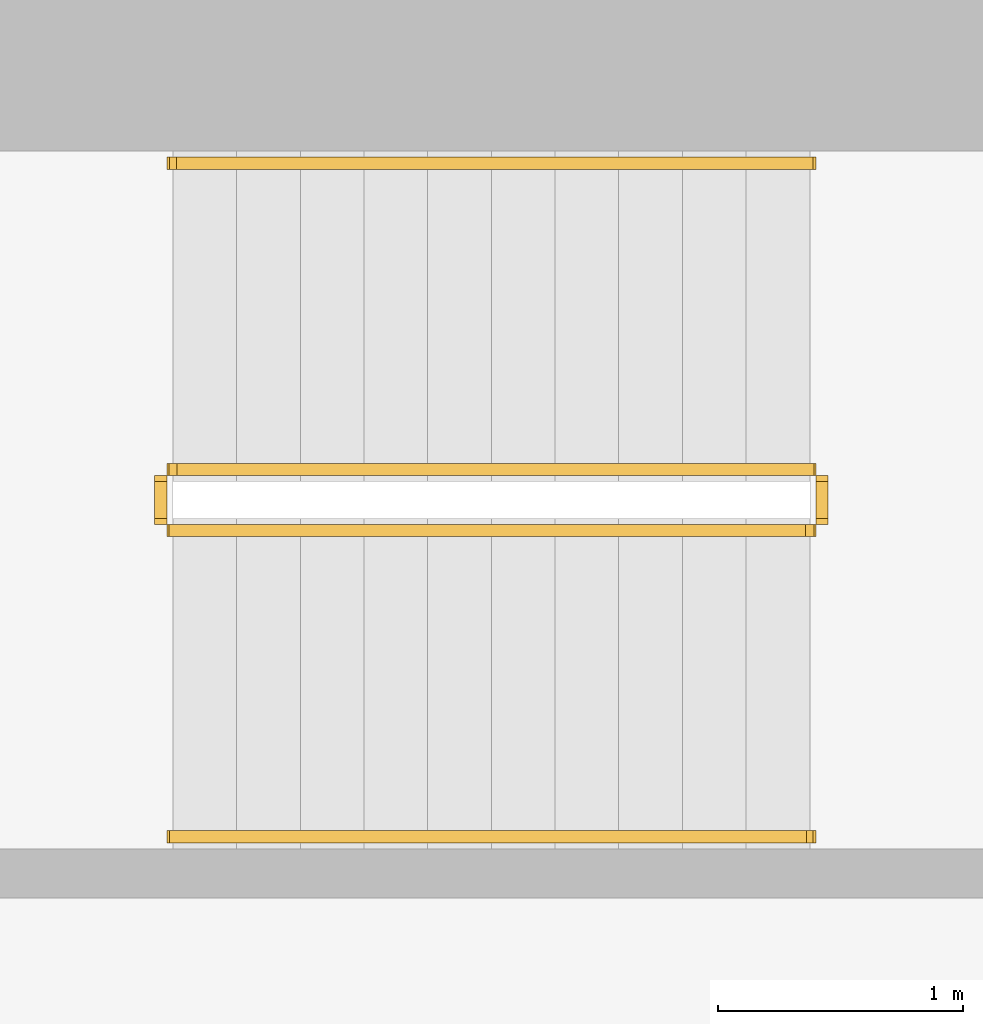
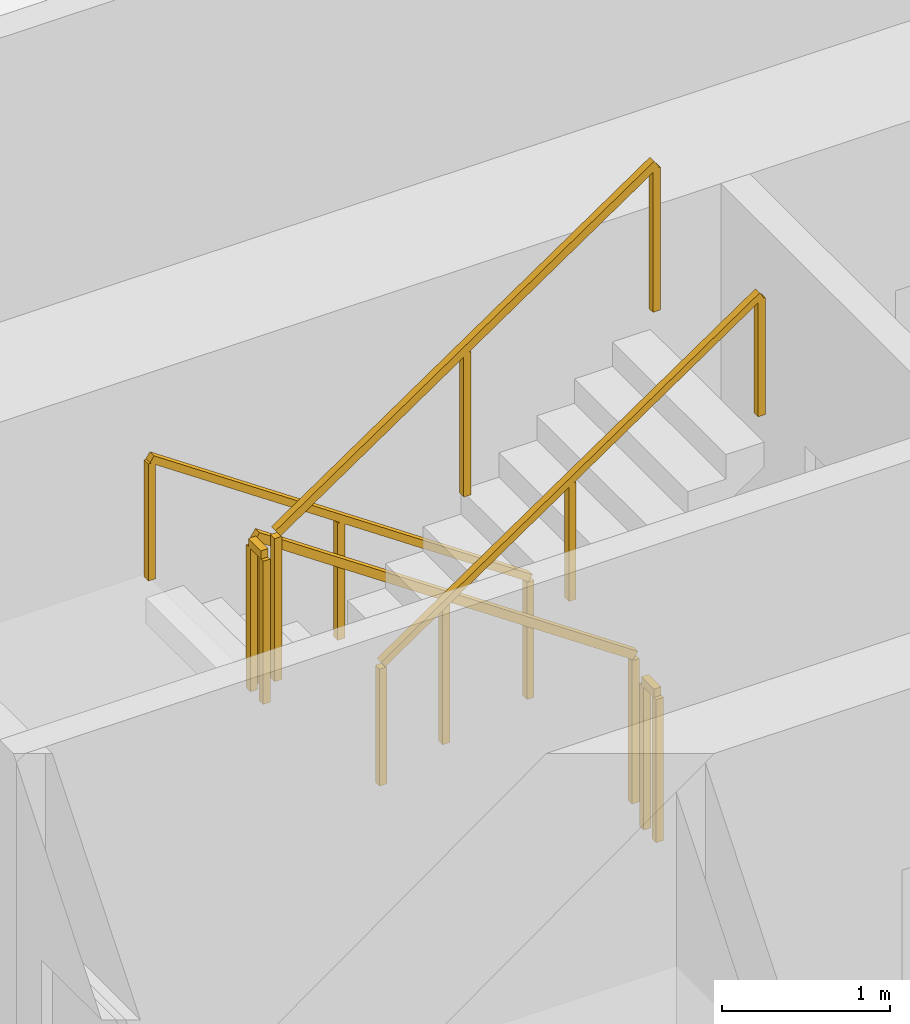
# One storey, part 14 of 15: 6 railings.
"""IFC4 building model written with IfcOpenShell, lengths in metres."""

from ifc_helpers import new_model, si_unit, direction, frame, origin, origin_2d, place, context, subcontext, project, spatial, rectangle, extrude, material, type_object, element, save


model = new_model("IFC4")

# Units and contexts
model_context = context("Model", 3, precision=1e-05, world=origin(), true_north=direction((0.0, 1.0)))
body_context = subcontext(model_context, "Body", "Model", "MODEL_VIEW")
ifc_project = project(units=[si_unit("LENGTHUNIT", "METRE"), si_unit("AREAUNIT", "SQUARE_METRE"), si_unit("VOLUMEUNIT", "CUBIC_METRE"), si_unit("PLANEANGLEUNIT", "RADIAN"), si_unit("MASSUNIT", "GRAM", prefix="KILO")], contexts=[model_context])

# Site, building, storey
site_placement = place(None, origin())
site = spatial("IfcSite", under=ifc_project, at=site_placement, CompositionType="ELEMENT")
building_placement = place(site_placement, origin())
building = spatial("IfcBuilding", under=site, at=building_placement, Name="Khepri Terraces", CompositionType="ELEMENT")
storey_placement = place(building_placement, frame((0.0, 0.0, 231.300048828125)))
storey = spatial("IfcBuildingStorey", under=building, at=storey_placement, Name="L55", CompositionType="ELEMENT", Elevation=231.300048828125)

# Railings
ifc_material = material(Name="Stainless steel 316", Category="steel")
railing_type_1 = type_object("IfcRailingType", Name="RL-CORE-GUARD", PredefinedType="GUARDRAIL", material=ifc_material)
railing_1_placement = place(storey_placement, frame((-0.25, 8.800048828125, 0.17724609375)))
element("IfcRailing", 1, at=railing_1_placement, inside=storey, type_object=railing_type_1, Name="L55 ST-3 stair guard 1", PredefinedType="GUARDRAIL", context=body_context, shape_type="SweptSolid", body=[
    extrude(rectangle(XDim=0.050048828125, YDim=0.06005859375, at=origin_2d()), frame((0.0, 0.0, 1.070068359375), z_axis=(-0.826240473404, 0.0, 0.563317565952), x_axis=(0.0, -1.0, 0.0)), (0.0, 0.0, 1.0), 3.14697265625),
    extrude(rectangle(XDim=0.050048828125, YDim=0.050048828125, at=origin_2d()), origin(), (0.0, 0.0, 1.0), 1.0400390625),
    extrude(rectangle(XDim=0.050048828125, YDim=0.050048828125, at=origin_2d()), frame((-1.300048828125, 0.0, 0.88623046875)), (0.0, 0.0, 1.0), 1.0400390625),
    extrude(rectangle(XDim=0.050048828125, YDim=0.050048828125, at=origin_2d()), frame((-2.60009765625, 0.0, 1.772705078125)), (0.0, 0.0, 1.0), 1.0400390625),
])
railing_2_placement = place(storey_placement, frame((-2.89990234375, 8.75, 1.949951171875)))
element("IfcRailing", 2, at=railing_2_placement, inside=storey, type_object=railing_type_1, Name="L55 ST-3 stair guard 2", PredefinedType="GUARDRAIL", context=body_context, shape_type="SweptSolid", body=[
    extrude(rectangle(XDim=0.050048828125, YDim=0.06005859375, at=origin_2d()), frame((0.0, 0.0, 1.070068359375), z_axis=(0.0, -1.0, 0.0), x_axis=(1.0, 0.0, 0.0)), (0.0, 0.0, 1.0), 0.14990234375),
    extrude(rectangle(XDim=0.050048828125, YDim=0.050048828125, at=origin_2d()), origin(), (0.0, 0.0, 1.0), 1.0400390625),
    extrude(rectangle(XDim=0.050048828125, YDim=0.050048828125, at=origin_2d()), frame((0.0, -0.14990234375, 0.0)), (0.0, 0.0, 1.0), 1.0400390625),
])
railing_3_placement = place(storey_placement, frame((-2.85009765625, 8.550048828125, 2.127197265625)))
element("IfcRailing", 3, at=railing_3_placement, inside=storey, type_object=railing_type_1, Name="L55 ST-3 stair guard 3", PredefinedType="GUARDRAIL", context=body_context, shape_type="SweptSolid", body=[
    extrude(rectangle(XDim=0.050048828125, YDim=0.06005859375, at=origin_2d()), frame((0.0, 0.0, 1.070068359375), z_axis=(0.826240473404, 0.0, 0.563317565952), x_axis=(0.0, 1.0, 0.0)), (0.0, 0.0, 1.0), 3.14697265625),
    extrude(rectangle(XDim=0.050048828125, YDim=0.050048828125, at=origin_2d()), origin(), (0.0, 0.0, 1.0), 1.0400390625),
    extrude(rectangle(XDim=0.050048828125, YDim=0.050048828125, at=origin_2d()), frame((1.300048828125, 0.0, 0.88623046875)), (0.0, 0.0, 1.0), 1.0400390625),
    extrude(rectangle(XDim=0.050048828125, YDim=0.050048828125, at=origin_2d()), frame((2.60009765625, 0.0, 1.772705078125)), (0.0, 0.0, 1.0), 1.0400390625),
])
railing_4_placement = place(storey_placement, frame((-0.199951171875, 8.75, 0.0)))
element("IfcRailing", 4, at=railing_4_placement, inside=storey, type_object=railing_type_1, Name="L55 ST-3 stair guard 4", PredefinedType="GUARDRAIL", context=body_context, shape_type="SweptSolid", body=[
    extrude(rectangle(XDim=0.050048828125, YDim=0.06005859375, at=origin_2d()), frame((0.0, 0.0, 1.070068359375), z_axis=(0.0, -1.0, 0.0), x_axis=(1.0, 0.0, 0.0)), (0.0, 0.0, 1.0), 0.14990234375),
    extrude(rectangle(XDim=0.050048828125, YDim=0.050048828125, at=origin_2d()), origin(), (0.0, 0.0, 1.0), 1.0400390625),
    extrude(rectangle(XDim=0.050048828125, YDim=0.050048828125, at=origin_2d()), frame((0.0, -0.14990234375, 0.0)), (0.0, 0.0, 1.0), 1.0400390625),
])
railing_type_2 = type_object("IfcRailingType", Name="RL-CORE-HANDRAIL", PredefinedType="HANDRAIL", material=ifc_material)
railing_5_placement = place(storey_placement, frame((-0.25, 10.050048828125, 0.17724609375)))
element("IfcRailing", 5, at=railing_5_placement, inside=storey, type_object=railing_type_2, Name="L55 ST-3 stair handrail 1", PredefinedType="HANDRAIL", context=body_context, shape_type="SweptSolid", body=[
    extrude(rectangle(XDim=0.050048828125, YDim=0.050048828125, at=origin_2d()), frame((0.0, 0.0, 0.875), z_axis=(-0.826240473404, 0.0, 0.563317565952), x_axis=(0.0, -1.0, 0.0)), (0.0, 0.0, 1.0), 3.14697265625),
    extrude(rectangle(XDim=0.050048828125, YDim=0.050048828125, at=origin_2d()), origin(), (0.0, 0.0, 1.0), 0.849853515625),
    extrude(rectangle(XDim=0.050048828125, YDim=0.050048828125, at=origin_2d()), frame((-1.300048828125, 0.0, 0.88623046875)), (0.0, 0.0, 1.0), 0.849853515625),
    extrude(rectangle(XDim=0.050048828125, YDim=0.050048828125, at=origin_2d()), frame((-2.60009765625, 0.0, 1.772705078125)), (0.0, 0.0, 1.0), 0.849853515625),
])
railing_6_placement = place(storey_placement, frame((-2.85009765625, 7.300048828125, 2.127197265625)))
element("IfcRailing", 6, at=railing_6_placement, inside=storey, type_object=railing_type_2, Name="L55 ST-3 stair handrail 2", PredefinedType="HANDRAIL", context=body_context, shape_type="SweptSolid", body=[
    extrude(rectangle(XDim=0.050048828125, YDim=0.050048828125, at=origin_2d()), frame((0.0, 0.0, 0.875), z_axis=(0.826240473404, 0.0, 0.563317565952), x_axis=(0.0, 1.0, 0.0)), (0.0, 0.0, 1.0), 3.14697265625),
    extrude(rectangle(XDim=0.050048828125, YDim=0.050048828125, at=origin_2d()), origin(), (0.0, 0.0, 1.0), 0.849853515625),
    extrude(rectangle(XDim=0.050048828125, YDim=0.050048828125, at=origin_2d()), frame((1.300048828125, 0.0, 0.88623046875)), (0.0, 0.0, 1.0), 0.849853515625),
    extrude(rectangle(XDim=0.050048828125, YDim=0.050048828125, at=origin_2d()), frame((2.60009765625, 0.0, 1.772705078125)), (0.0, 0.0, 1.0), 0.849853515625),
])

save(model, "model.ifc")
